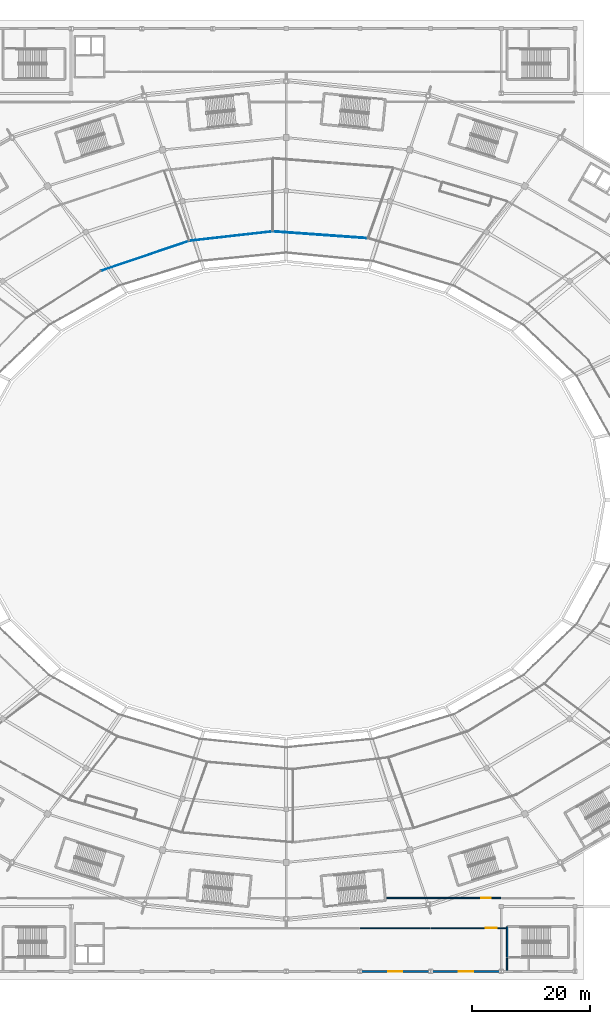
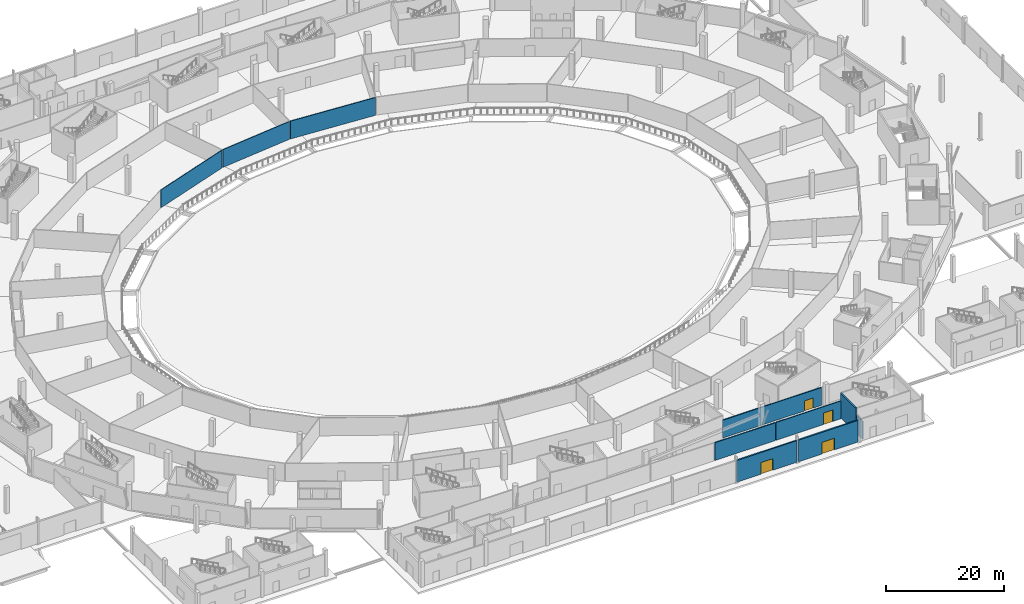
# One storey, part 42 of 82: 10 walls, 4 doors, 4 openings.
"""IFC4 building model written with IfcOpenShell, lengths in metres."""

from ifc_helpers import new_model, si_unit, direction, frame, frame_2d, origin, place, context, subcontext, project, spatial, rectangle, extrude, material, layer, layer_set, type_object, element, fill, save


model = new_model("IFC4")

# Units and contexts
model_context = context("Model", 3, precision=1e-05, world=origin(), true_north=direction((0.0, 1.0)))
body_context = subcontext(model_context, "Body", "Model", "MODEL_VIEW")
ifc_project = project(units=[si_unit("LENGTHUNIT", "METRE"), si_unit("AREAUNIT", "SQUARE_METRE"), si_unit("VOLUMEUNIT", "CUBIC_METRE"), si_unit("PLANEANGLEUNIT", "RADIAN"), si_unit("MASSUNIT", "GRAM", prefix="KILO")], contexts=[model_context])

# Site, building, storey
site_placement = place(None, origin())
site = spatial("IfcSite", under=ifc_project, at=site_placement, CompositionType="ELEMENT")
building_placement = place(site_placement, origin())
building = spatial("IfcBuilding", under=site, at=building_placement, Name="Zlatoyarsky Gate Stadium", CompositionType="ELEMENT")
storey_placement = place(building_placement, origin())
storey = spatial("IfcBuildingStorey", under=building, at=storey_placement, Name="L00", CompositionType="ELEMENT", Elevation=0.0)

# Wall
ifc_material_1 = material(Name="Anodised aluminium acoustic operable wall", Category="aluminium")
ifc_layer_1 = layer(ifc_material_1, 0.114990234375)
ifc_layer_set_1 = layer_set([ifc_layer_1], Name="Anodised aluminium acoustic operable wall")
wall_type_1 = type_object("IfcWallType", Name="ACOUSTIC OPERABLE SUITE WALL 115", PredefinedType="MOVABLE", material=ifc_layer_set_1)
wall_1_placement = place(storey_placement, frame((94.480224609375, 123.941650390625, 0.0), z_axis=(0.0, 0.0, 1.0), x_axis=(-0.947031345832, -0.321141137214, 0.0)))
element("IfcWall", 1, at=wall_1_placement, inside=storey, type_object=wall_type_1, Name="L00 interior partition PRT-L00-IRN-07", PredefinedType="MOVABLE", context=body_context, shape_type="SweptSolid", body=[
    extrude(rectangle(XDim=15.668212890625, YDim=0.114990234375, at=frame_2d((7.833984375, 0.0))), origin(), (0.0, 0.0, 1.0), 3.68994140625),
])

# Wall, opening, door
ifc_material_2 = material(Name="Gypsum-clad mineral wool fire partition", Category="gypsum")
ifc_layer_2 = layer(ifc_material_2, 0.199951171875)
ifc_layer_set_2 = layer_set([ifc_layer_2], Name="Gypsum-clad mineral wool fire partition")
wall_type_2 = type_object("IfcWallType", Name="COMPARTMENT FIRE PARTITION WALL 200", PredefinedType="PARTITIONING", material=ifc_layer_set_2)
wall_2_placement = place(storey_placement, frame((128.064208984375, 12.449951171875, 0.0), z_axis=(0.0, 0.0, 1.0), x_axis=(1.0, 0.0, 0.0)))
wall_2 = element("IfcWall", 2, at=wall_2_placement, inside=storey, type_object=wall_type_2, Name="L00 interior partition PRT-L00-V3SC-NE3A", PredefinedType="PARTITIONING", context=body_context, shape_type="SweptSolid", body=[
    extrude(rectangle(XDim=19.350830078125, YDim=0.199951171875, at=frame_2d((9.67529296875, 0.0))), origin(), (0.0, 0.0, 1.0), 3.68994140625),
])
opening_1_placement = place(wall_2_placement, frame((16.0009765625, 0.0, 0.0)))
opening_1 = element("IfcOpeningElement", 3, at=opening_1_placement, cuts=wall_2, Name="Opening D-L00-200", PredefinedType="OPENING", context=body_context, shape_type="SweptSolid", body=[
    extrude(rectangle(XDim=1.679931640625, YDim=2.10009765625, at=frame_2d((0.83984375, 1.050048828125))), frame((0.0, 0.10986328125, 0.0), z_axis=(0.0, -1.0, 0.0), x_axis=(1.0, 0.0, 0.0)), (0.0, 0.0, 1.0), 0.219970703125),
])
ifc_material_3 = material(Name="Powder-coated steel fire door", Category="steel")
door_type_1 = type_object("IfcDoorType", Name="ACOUSTIC INTERIOR DOOR 1680X2100", OperationType="NOTDEFINED", PredefinedType="DOOR", material=ifc_material_3)
door_1_placement = place(opening_1_placement, origin())
door_1 = element("IfcDoor", 4, at=door_1_placement, inside=storey, type_object=door_type_1, Name="L00 room door D-L00-200", OperationType="SINGLE_SWING_RIGHT", OverallHeight=2.10009765625, OverallWidth=1.679931640625, PredefinedType="DOOR", context=body_context, shape_type="SweptSolid", body=[
    extrude(rectangle(XDim=1.679931640625, YDim=2.10009765625, at=frame_2d((0.83984375, 1.050048828125))), frame((0.0, 0.02490234375, 0.0), z_axis=(0.0, -1.0, 0.0), x_axis=(1.0, 0.0, 0.0)), (0.0, 0.0, 1.0), 0.050048828125),
])
fill(opening_1, door_1)

# Walls
wall_3_placement = place(storey_placement, frame((123.5849609375, 7.35009765625, 0.0), z_axis=(0.0, 0.0, 1.0), x_axis=(1.0, 0.0, 0.0)))
element("IfcWall", 5, at=wall_3_placement, inside=storey, type_object=wall_type_2, Name="L00 interior partition PRT-L00-V3SC-S3_5", PredefinedType="PARTITIONING", context=body_context, shape_type="SweptSolid", body=[
    extrude(rectangle(XDim=11.830078125, YDim=0.199951171875, at=frame_2d((5.9150390625, 0.0))), origin(), (0.0, 0.0, 1.0), 3.68994140625),
])
ifc_material_4 = material(Name="Metal-stud gypsum partition", Category="gypsum")
ifc_layer_3 = layer(ifc_material_4, 0.14990234375)
ifc_layer_set_3 = layer_set([ifc_layer_3], Name="Metal-stud gypsum partition")
wall_type_3 = type_object("IfcWallType", Name="CONCOURSE CORRIDOR PARTITION 150", PredefinedType="PARTITIONING", material=ifc_layer_set_3)
wall_4_placement = place(storey_placement, frame((124.8046875, 124.414794921875, 0.0), z_axis=(0.0, 0.0, 1.0), x_axis=(-0.997430049468, 0.071647026582, 0.0)))
element("IfcWall", 6, at=wall_4_placement, inside=storey, type_object=wall_type_3, Name="L00 interior partition PRT-L00-IRN-05", PredefinedType="PARTITIONING", context=body_context, shape_type="SweptSolid", body=[
    extrude(rectangle(XDim=16.049560546875, YDim=0.14990234375, at=frame_2d((8.02490234375, 0.0))), origin(), (0.0, 0.0, 1.0), 3.68994140625),
])
ifc_material_5 = material(Name="Concrete C40/50", Category="concrete")
ifc_layer_4 = layer(ifc_material_5, 0.25)
ifc_layer_set_4 = layer_set([ifc_layer_4], Name="Concrete C40/50")
wall_type_4 = type_object("IfcWallType", Name="CONCRETE STAIR CORE SHEAR WALL 250", PredefinedType="SHEAR", material=ifc_layer_set_4)
wall_5_placement = place(storey_placement, frame((148.47509765625, 7.625, 0.0), z_axis=(0.0, 0.0, 1.0), x_axis=(0.0, -1.0, 0.0)))
element("IfcWall", 7, at=wall_5_placement, inside=storey, type_object=wall_type_4, Name="ST-30 L00 stair core entrance shear wall", PredefinedType="SHEAR", context=body_context, shape_type="SweptSolid", body=[
    extrude(rectangle(XDim=5.25, YDim=0.25, at=frame_2d((2.625, 0.0))), origin(), (0.0, 0.0, 1.0), 5.10009765625),
])
ifc_material_6 = material(Name="Autoclaved aerated concrete masonry EI 120", Category="masonry")
ifc_layer_5 = layer(ifc_material_6, 0.219970703125)
ifc_layer_set_5 = layer_set([ifc_layer_5], Name="Autoclaved aerated concrete masonry EI 120")
wall_type_5 = type_object("IfcWallType", Name="FIREFIGHTING LOBBY RATED WALL 220", PredefinedType="PARTITIONING", material=ifc_layer_set_5)
wall_6_placement = place(storey_placement, frame((148.4599609375, 0.18994140625, 0.0), z_axis=(0.0, 0.0, 1.0), x_axis=(0.0, 1.0, 0.0)))
element("IfcWall", 8, at=wall_6_placement, inside=storey, type_object=wall_type_5, Name="ST-30 L00 protected exit lobby EI 120 wall 1", PredefinedType="PARTITIONING", context=body_context, shape_type="SweptSolid", body=[
    extrude(rectangle(XDim=2.050048828125, YDim=0.219970703125, at=frame_2d((1.02490234375, 0.0))), origin(), (0.0, 0.0, 1.0), 3.68994140625),
])

# Wall, opening, door
ifc_material_7 = material(Name="Precast concrete C40/50 architectural panel", Category="concrete")
ifc_layer_6 = layer(ifc_material_7, 0.280029296875)
ifc_layer_set_6 = layer_set([ifc_layer_6], Name="Precast concrete C40/50 architectural panel")
wall_type_6 = type_object("IfcWallType", Name="INSULATED WING SPANDREL WALL 280", PredefinedType="STANDARD", material=ifc_layer_set_6)
wall_7_placement = place(storey_placement, frame((123.64697265625, 0.0, 0.0), z_axis=(0.0, 0.0, 1.0), x_axis=(1.0, 0.0, 0.0)))
wall_7 = element("IfcWall", 9, at=wall_7_placement, inside=storey, type_object=wall_type_6, Name="V3_SOUTH L00 S exterior wall", PredefinedType="STANDARD", context=body_context, shape_type="SweptSolid", body=[
    extrude(rectangle(XDim=11.7060546875, YDim=0.280029296875, at=frame_2d((5.85302734375, 0.0))), origin(), (0.0, 0.0, 1.0), 4.47998046875),
])
opening_2_placement = place(wall_7_placement, frame((4.653076171875, 0.0, 0.0)))
opening_2 = element("IfcOpeningElement", 10, at=opening_2_placement, cuts=wall_7, Name="Opening G16", PredefinedType="OPENING", context=body_context, shape_type="SweptSolid", body=[
    extrude(rectangle(XDim=2.39990234375, YDim=2.39990234375, at=frame_2d((1.199951171875, 1.199951171875))), frame((0.0, 0.14990234375, 0.0), z_axis=(0.0, -1.0, 0.0), x_axis=(1.0, 0.0, 0.0)), (0.0, 0.0, 1.0), 0.300048828125),
])
ifc_material_8 = material(Name="Thermally broken powder-coated steel and laminated safety glass", Category="steel")
door_type_2 = type_object("IfcDoorType", Name="PEDESTRIAN FINAL EXIT DOUBLE DOOR 2400X2400", OperationType="DOUBLE_DOOR_SINGLE_SWING", PredefinedType="DOOR", material=ifc_material_8)
door_2_placement = place(opening_2_placement, frame((2.39990234375, 0.0, 0.0), z_axis=(0.0, 0.0, 1.0), x_axis=(-1.0, 0.0, 0.0)))
door_2 = element("IfcDoor", 11, at=door_2_placement, inside=storey, type_object=door_type_2, Name="Exterior door G16", OperationType="DOUBLE_DOOR_SINGLE_SWING", OverallHeight=2.39990234375, OverallWidth=2.39990234375, PredefinedType="DOOR", context=body_context, shape_type="SweptSolid", body=[
    extrude(rectangle(XDim=2.39990234375, YDim=2.39990234375, at=frame_2d((1.199951171875, 1.199951171875))), frame((0.0, 0.02490234375, 0.0), z_axis=(0.0, -1.0, 0.0), x_axis=(1.0, 0.0, 0.0)), (0.0, 0.0, 1.0), 0.050048828125),
])
fill(opening_2, door_2)

wall_8_placement = place(storey_placement, frame((135.64697265625, 0.0, 0.0), z_axis=(0.0, 0.0, 1.0), x_axis=(1.0, 0.0, 0.0)))
wall_8 = element("IfcWall", 12, at=wall_8_placement, inside=storey, type_object=wall_type_6, Name="V3_SOUTH L00 S exterior wall", PredefinedType="STANDARD", context=body_context, shape_type="SweptSolid", body=[
    extrude(rectangle(XDim=11.7060546875, YDim=0.280029296875, at=frame_2d((5.85302734375, 0.0))), origin(), (0.0, 0.0, 1.0), 4.47998046875),
])
opening_3_placement = place(wall_8_placement, frame((4.6279296875, 0.0, 0.0)))
opening_3 = element("IfcOpeningElement", 13, at=opening_3_placement, cuts=wall_8, Name="Opening G17", PredefinedType="OPENING", context=body_context, shape_type="SweptSolid", body=[
    extrude(rectangle(XDim=2.449951171875, YDim=2.39990234375, at=frame_2d((1.22509765625, 1.199951171875))), frame((0.0, 0.14990234375, 0.0), z_axis=(0.0, -1.0, 0.0), x_axis=(1.0, 0.0, 0.0)), (0.0, 0.0, 1.0), 0.300048828125),
])
door_type_3 = type_object("IfcDoorType", Name="PEDESTRIAN FINAL EXIT DOUBLE DOOR 2450X2400", OperationType="DOUBLE_DOOR_SINGLE_SWING", PredefinedType="DOOR", material=ifc_material_8)
door_3_placement = place(opening_3_placement, frame((2.449951171875, 0.0, 0.0), z_axis=(0.0, 0.0, 1.0), x_axis=(-1.0, 0.0, 0.0)))
door_3 = element("IfcDoor", 14, at=door_3_placement, inside=storey, type_object=door_type_3, Name="Exterior door G17", OperationType="DOUBLE_DOOR_SINGLE_SWING", OverallHeight=2.39990234375, OverallWidth=2.449951171875, PredefinedType="DOOR", context=body_context, shape_type="SweptSolid", body=[
    extrude(rectangle(XDim=2.449951171875, YDim=2.39990234375, at=frame_2d((1.22509765625, 1.199951171875))), frame((0.0, 0.02490234375, 0.0), z_axis=(0.0, -1.0, 0.0), x_axis=(1.0, 0.0, 0.0)), (0.0, 0.0, 1.0), 0.050048828125),
])
fill(opening_3, door_3)

# Wall
ifc_layer_7 = layer(ifc_material_4, 0.1201171875)
ifc_layer_set_7 = layer_set([ifc_layer_7], Name="Metal-stud gypsum partition")
wall_type_7 = type_object("IfcWallType", Name="OFFICE AND PRESS PARTITION 120", PredefinedType="PARTITIONING", material=ifc_layer_set_7)
wall_9_placement = place(storey_placement, frame((108.626953125, 125.561279296875, 0.0), z_axis=(0.0, 0.0, 1.0), x_axis=(-0.993653517181, -0.11248416686, 0.0)))
element("IfcWall", 15, at=wall_9_placement, inside=storey, type_object=wall_type_7, Name="L00 interior partition PRT-L00-IRN-06", PredefinedType="PARTITIONING", context=body_context, shape_type="SweptSolid", body=[
    extrude(rectangle(XDim=14.071044921875, YDim=0.1201171875, at=frame_2d((7.03564453125, 0.0))), origin(), (0.0, 0.0, 1.0), 3.68994140625),
])

# Wall, opening, door
ifc_layer_8 = layer(ifc_material_2, 0.179931640625)
ifc_layer_set_8 = layer_set([ifc_layer_8], Name="Gypsum-clad mineral wool fire partition")
wall_type_8 = type_object("IfcWallType", Name="PLANT AND KITCHEN RATED WALL 180", PredefinedType="PARTITIONING", material=ifc_layer_set_8)
wall_10_placement = place(storey_placement, frame((135.5849609375, 7.35009765625, 0.0), z_axis=(0.0, 0.0, 1.0), x_axis=(1.0, 0.0, 0.0)))
wall_10 = element("IfcWall", 16, at=wall_10_placement, inside=storey, type_object=wall_type_8, Name="L00 interior partition PRT-L00-V3SC-S3_6", PredefinedType="PARTITIONING", context=body_context, shape_type="SweptSolid", body=[
    extrude(rectangle(XDim=12.630126953125, YDim=0.179931640625, at=frame_2d((6.31494140625, 0.0))), origin(), (0.0, 0.0, 1.0), 3.68994140625),
])
opening_4_placement = place(wall_10_placement, frame((9.280029296875, 0.0, 0.0)))
opening_4 = element("IfcOpeningElement", 17, at=opening_4_placement, cuts=wall_10, Name="Opening D-L00-207", PredefinedType="OPENING", context=body_context, shape_type="SweptSolid", body=[
    extrude(rectangle(XDim=1.820068359375, YDim=2.3798828125, at=frame_2d((0.91015625, 1.18994140625))), frame((0.0, 0.099853515625, 0.0), z_axis=(0.0, -1.0, 0.0), x_axis=(1.0, 0.0, 0.0)), (0.0, 0.0, 1.0), 0.199951171875),
])
door_type_4 = type_object("IfcDoorType", Name="ACOUSTIC INTERIOR DOOR 1820X2380", OperationType="NOTDEFINED", PredefinedType="DOOR", material=ifc_material_3)
door_4_placement = place(opening_4_placement, origin())
door_4 = element("IfcDoor", 18, at=door_4_placement, inside=storey, type_object=door_type_4, Name="L00 room door D-L00-207", OperationType="SINGLE_SWING_LEFT", OverallHeight=2.3798828125, OverallWidth=1.820068359375, PredefinedType="DOOR", context=body_context, shape_type="SweptSolid", body=[
    extrude(rectangle(XDim=1.820068359375, YDim=2.3798828125, at=frame_2d((0.91015625, 1.18994140625))), frame((0.0, 0.02490234375, 0.0), z_axis=(0.0, -1.0, 0.0), x_axis=(1.0, 0.0, 0.0)), (0.0, 0.0, 1.0), 0.050048828125),
])
fill(opening_4, door_4)

save(model, "model.ifc")
